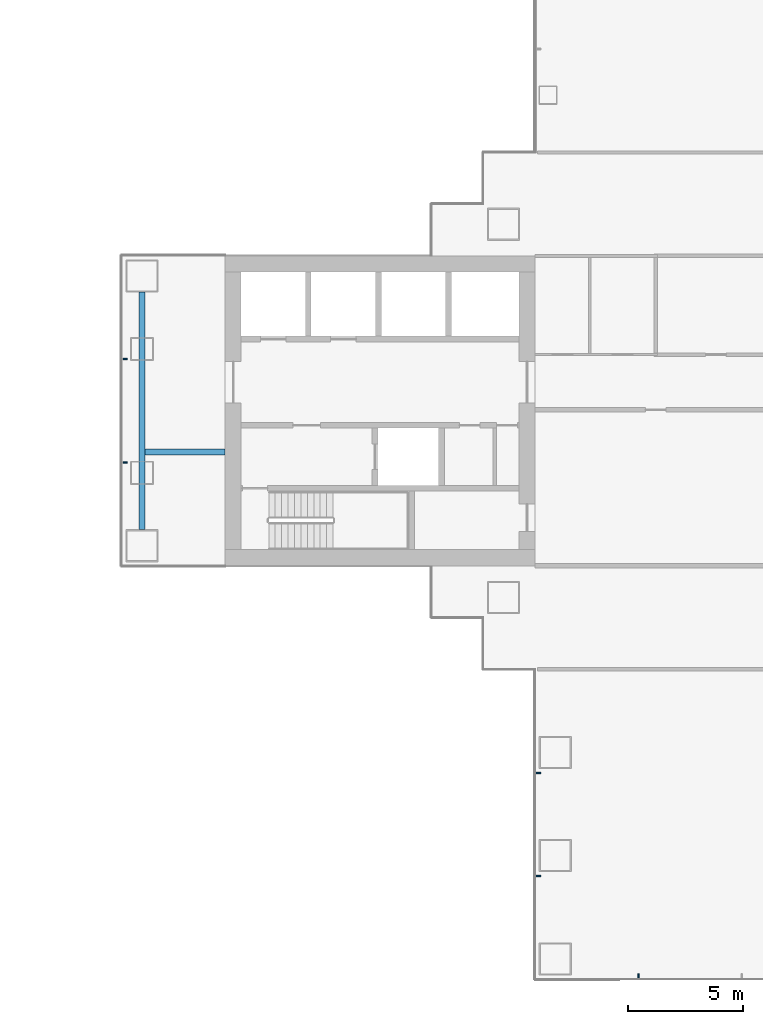
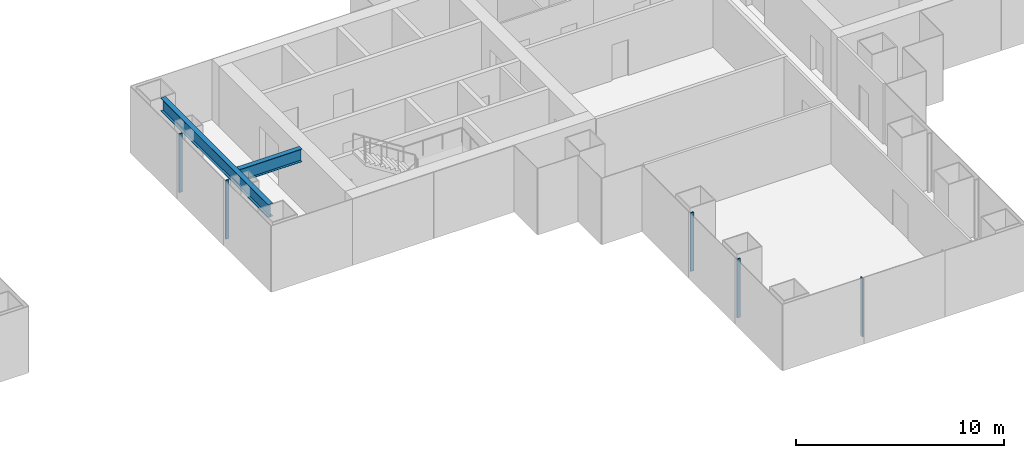
# One storey, part 7 of 21: 5 members, 2 beams, 3 elements without a shape of their own.
"""IFC4 building model written with IfcOpenShell, lengths in metres."""

from ifc_helpers import new_model, si_unit, direction, frame, origin, origin_2d, place, context, subcontext, project, spatial, rectangle, i_section, extrude, material, layer, layer_set, material_profile, profile_set, type_object, element, aggregate, save


model = new_model("IFC4")

# Units and contexts
model_context = context("Model", 3, precision=1e-05, world=origin(), true_north=direction((0.0, 1.0)))
body_context = subcontext(model_context, "Body", "Model", "MODEL_VIEW")
ifc_project = project(units=[si_unit("LENGTHUNIT", "METRE"), si_unit("AREAUNIT", "SQUARE_METRE"), si_unit("VOLUMEUNIT", "CUBIC_METRE"), si_unit("PLANEANGLEUNIT", "RADIAN"), si_unit("MASSUNIT", "GRAM", prefix="KILO")], contexts=[model_context])

# Site, building, storey
site_placement = place(None, origin())
site = spatial("IfcSite", under=ifc_project, at=site_placement, CompositionType="ELEMENT")
building_placement = place(site_placement, origin())
building = spatial("IfcBuilding", under=site, at=building_placement, Name="Shamsa Quay Exchange Towers", CompositionType="ELEMENT")
storey_placement = place(building_placement, frame((0.0, 0.0, 65.39990234375)))
storey = spatial("IfcBuildingStorey", under=building, at=storey_placement, Name="L14", CompositionType="ELEMENT", Elevation=65.39990234375)

# Curtain wall, members
ifc_material_1 = material(Name="Aluminium EN AW-6063 T6, black anodised", Category="aluminium")
ifc_layer = layer(ifc_material_1, 0.280029296875)
ifc_layer_set = layer_set([ifc_layer], Name="CW-1 UNITISED VISION GLASS")
curtain_wall_type = type_object("IfcCurtainWallType", Name="CW-1 UNITISED VISION GLASS", PredefinedType="NOTDEFINED", material=ifc_layer_set)
curtain_wall_1_placement = place(storey_placement, origin())
curtain_wall_1 = element("IfcCurtainWall", 1, at=curtain_wall_1_placement, inside=storey, type_object=curtain_wall_type, Name="CW1 T2-END-V+ L14", PredefinedType="NOTDEFINED")
ifc_material_profile_1 = material_profile(ifc_material_1, rectangle(XDim=0.179931640625, YDim=0.06005859375, at=origin_2d()), Name="MU60x180")
ifc_profile_set_1 = profile_set([ifc_material_profile_1], Name="Aluminium EN AW-6063 T6, black anodised")
member_type = type_object("IfcMemberType", Name="CW1 MULLION 60x180", PredefinedType="MULLION", material=ifc_profile_set_1)
member_1_placement = place(storey_placement, frame((9.14990234375, 2.25, 0.0)))
member_1 = element("IfcMember", 2, at=member_1_placement, type_object=member_type, Name="CW1 mullion", PredefinedType="MULLION", context=body_context, shape_type="SweptSolid", body=[
    extrude(rectangle(XDim=0.179931640625, YDim=0.06005859375, at=origin_2d()), origin(), (0.0, 0.0, 1.0), 3.4501953125),
])
member_2_placement = place(storey_placement, frame((9.14990234375, -2.25, 0.0)))
member_2 = element("IfcMember", 3, at=member_2_placement, type_object=member_type, Name="CW1 mullion", PredefinedType="MULLION", context=body_context, shape_type="SweptSolid", body=[
    extrude(rectangle(XDim=0.179931640625, YDim=0.06005859375, at=origin_2d()), origin(), (0.0, 0.0, 1.0), 3.4501953125),
])
aggregate(curtain_wall_1, [member_1, member_2])

curtain_wall_2_placement = place(storey_placement, origin())
curtain_wall_2 = element("IfcCurtainWall", 4, at=curtain_wall_2_placement, inside=storey, type_object=curtain_wall_type, Name="CW1 T2-FLK-U-N L14", PredefinedType="NOTDEFINED")
member_3_placement = place(storey_placement, frame((27.14990234375, -15.775390625, 0.0)))
member_3 = element("IfcMember", 5, at=member_3_placement, type_object=member_type, Name="CW1 mullion", PredefinedType="MULLION", context=body_context, shape_type="SweptSolid", body=[
    extrude(rectangle(XDim=0.179931640625, YDim=0.06005859375, at=origin_2d()), origin(), (0.0, 0.0, 1.0), 3.4501953125),
])
member_4_placement = place(storey_placement, frame((27.14990234375, -20.2626953125, 0.0)))
member_4 = element("IfcMember", 6, at=member_4_placement, type_object=member_type, Name="CW1 mullion", PredefinedType="MULLION", context=body_context, shape_type="SweptSolid", body=[
    extrude(rectangle(XDim=0.179931640625, YDim=0.06005859375, at=origin_2d()), origin(), (0.0, 0.0, 1.0), 3.4501953125),
])
aggregate(curtain_wall_2, [member_3, member_4])

# Curtain wall, member
curtain_wall_3_placement = place(storey_placement, origin())
curtain_wall_3 = element("IfcCurtainWall", 7, at=curtain_wall_3_placement, inside=storey, type_object=curtain_wall_type, Name="CW1 T2-END-U- L14", PredefinedType="NOTDEFINED")
member_5_placement = place(storey_placement, frame((31.5, -24.60009765625, 0.0), z_axis=(0.0, 0.0, 1.0), x_axis=(0.0, 1.0, 0.0)))
member_5 = element("IfcMember", 8, at=member_5_placement, type_object=member_type, Name="CW1 mullion", PredefinedType="MULLION", context=body_context, shape_type="SweptSolid", body=[
    extrude(rectangle(XDim=0.179931640625, YDim=0.06005859375, at=origin_2d()), origin(), (0.0, 0.0, 1.0), 3.4501953125),
])
aggregate(curtain_wall_3, [member_5])

# Beams
ifc_material_2 = material(Name="Steel S355", Category="steel")
ifc_material_profile_2 = material_profile(ifc_material_2, i_section(OverallWidth=0.26611328125, OverallDepth=0.7578125, WebThickness=0.013916015625, FlangeThickness=0.019287109375, at=origin_2d()), Name="W30x108")
ifc_profile_set_2 = profile_set([ifc_material_profile_2], Name="Steel S355")
beam_type = type_object("IfcBeamType", Name="End-zone beam W30x108", PredefinedType="BEAM", material=ifc_profile_set_2)
beam_1_placement = place(storey_placement, frame((9.875, -5.175048828125, 3.171142578125), z_axis=(0.0, 1.0, 0.0), x_axis=(-1.0, 0.0, 0.0)))
element("IfcBeam", 9, at=beam_1_placement, inside=storey, type_object=beam_type, Name="End beam T2 V+ end zone L14", PredefinedType="BEAM", context=body_context, shape_type="SweptSolid", body=[
    extrude(i_section(OverallWidth=0.26611328125, OverallDepth=0.7578125, WebThickness=0.013916015625, FlangeThickness=0.019287109375, at=origin_2d()), origin(), (0.0, 0.0, 1.0), 10.35009765625),
])
beam_2_placement = place(storey_placement, frame((13.5, -1.800048828125, 3.171142578125), z_axis=(-1.0, 0.0, 0.0), x_axis=(0.0, -1.0, 0.0)))
element("IfcBeam", 10, at=beam_2_placement, inside=storey, type_object=beam_type, Name="Spine beam T2 V+ end zone L14", PredefinedType="BEAM", context=body_context, shape_type="SweptSolid", body=[
    extrude(i_section(OverallWidth=0.26611328125, OverallDepth=0.7578125, WebThickness=0.013916015625, FlangeThickness=0.019287109375, at=origin_2d()), origin(), (0.0, 0.0, 1.0), 3.491943359375),
])

save(model, "model.ifc")
